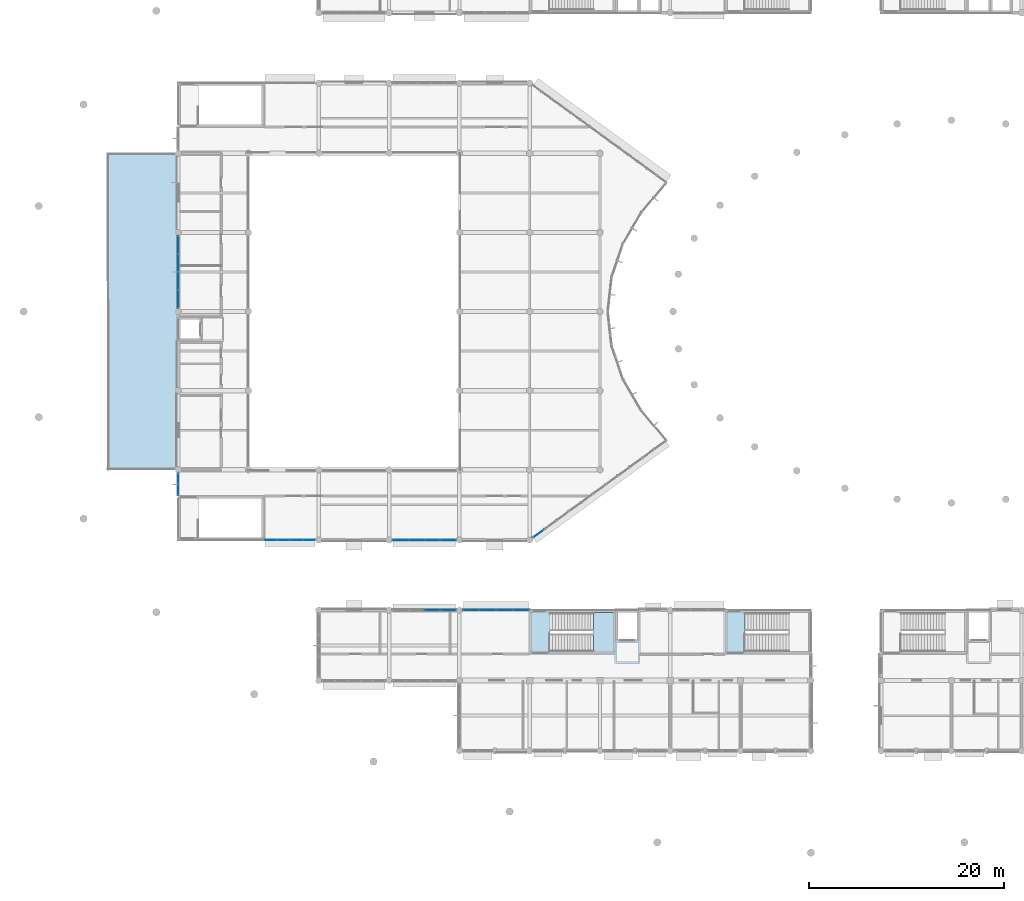
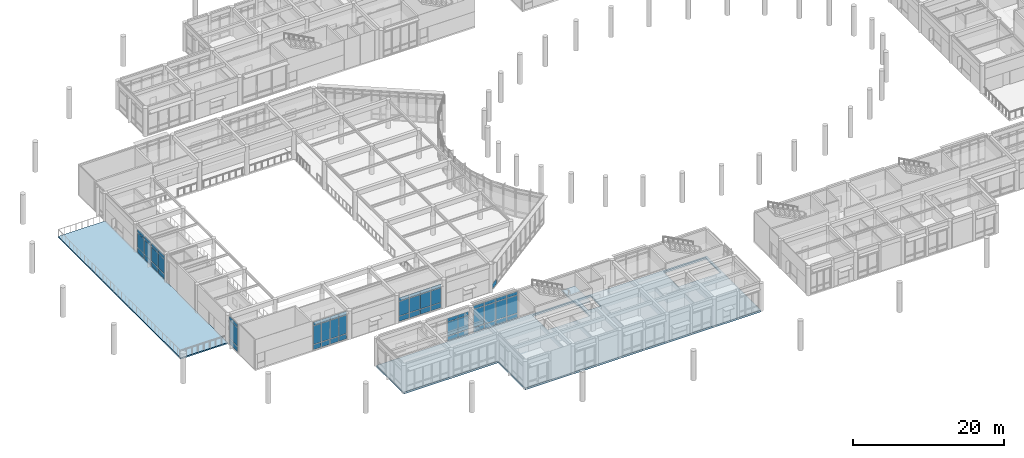
# One storey, part 35 of 92: 58 plates, 3 slabs, 8 elements without a shape of their own.
"""IFC4 building model written with IfcOpenShell, lengths in metres."""

from ifc_helpers import new_model, si_unit, direction, frame, origin, origin_2d, place, context, subcontext, project, spatial, polyline, rectangle, outline, extrude, material, layer, layer_set, type_object, element, aggregate, save


model = new_model("IFC4")

# Units and contexts
model_context = context("Model", 3, precision=1e-05, world=origin(), true_north=direction((0.0, 1.0)))
body_context = subcontext(model_context, "Body", "Model", "MODEL_VIEW")
ifc_project = project(units=[si_unit("LENGTHUNIT", "METRE"), si_unit("AREAUNIT", "SQUARE_METRE"), si_unit("VOLUMEUNIT", "CUBIC_METRE"), si_unit("PLANEANGLEUNIT", "RADIAN"), si_unit("MASSUNIT", "GRAM", prefix="KILO")], contexts=[model_context])

# Site, building, storey
site_placement = place(None, origin())
site = spatial("IfcSite", under=ifc_project, at=site_placement, CompositionType="ELEMENT")
building_placement = place(site_placement, origin())
building = spatial("IfcBuilding", under=site, at=building_placement, Name="Namkhue Oval Health Centre", CompositionType="ELEMENT")
storey_placement = place(building_placement, frame((0.0, 0.0, 4.800048828125)))
storey = spatial("IfcBuildingStorey", under=building, at=storey_placement, Name="L01", CompositionType="ELEMENT", Elevation=4.800048828125)

# Curtain wall, plates
ifc_material_1 = material(Name="Anodised aluminium EN AW-6063 T6", Category="aluminium")
ifc_layer_1 = layer(ifc_material_1, 0.159912109375)
ifc_layer_set_1 = layer_set([ifc_layer_1], Name="Anodised aluminium EN AW-6063 T6")
curtain_wall_type_1 = type_object("IfcCurtainWallType", Name="UNITISED CURTAIN WALL M1500", PredefinedType="NOTDEFINED", material=ifc_layer_set_1)
curtain_wall_1_placement = place(storey_placement, origin())
curtain_wall_1 = element("IfcCurtainWall", 1, at=curtain_wall_1_placement, inside=storey, type_object=curtain_wall_type_1, Name="Volume V1 L01 Unitised Curtain Wall 21", PredefinedType="NOTDEFINED")
ifc_material_2 = material(Name="Thermally broken low-E laminated double glazing", Category="glass")
ifc_layer_2 = layer(ifc_material_2, 0.02587890625)
ifc_layer_set_2 = layer_set([ifc_layer_2], Name="Thermally broken low-E laminated double glazing")
plate_type_1 = type_object("IfcPlateType", Name="CURTAIN WALL GLAZED PANEL 26", PredefinedType="CURTAIN_PANEL", material=ifc_layer_set_2)
plate_1_placement = place(storey_placement, frame((44.367431640625, 36.0, 0.06494140625), z_axis=(0.0, 0.0, 1.0), x_axis=(1.0, 0.0, 0.0)))
plate_1 = element("IfcPlate", 2, at=plate_1_placement, type_object=plate_type_1, Name="CW-03 panel 1.1", PredefinedType="CURTAIN_PANEL", context=body_context, shape_type="SweptSolid", body=[
    extrude(rectangle(XDim=1.534912109375, YDim=0.02587890625, at=origin_2d()), origin(), (0.0, 0.0, 1.0), 0.802490234375),
])
plate_2_placement = place(storey_placement, frame((44.367431640625, 36.0, 0.932373046875), z_axis=(0.0, 0.0, 1.0), x_axis=(1.0, 0.0, 0.0)))
plate_2 = element("IfcPlate", 3, at=plate_2_placement, type_object=plate_type_1, Name="CW-03 panel 1.2", PredefinedType="CURTAIN_PANEL", context=body_context, shape_type="SweptSolid", body=[
    extrude(rectangle(XDim=1.534912109375, YDim=0.02587890625, at=origin_2d()), origin(), (0.0, 0.0, 1.0), 2.3349609375),
])
plate_3_placement = place(storey_placement, frame((44.367431640625, 36.0, 3.33251953125), z_axis=(0.0, 0.0, 1.0), x_axis=(1.0, 0.0, 0.0)))
plate_3 = element("IfcPlate", 4, at=plate_3_placement, type_object=plate_type_1, Name="CW-03 panel 1.3", PredefinedType="CURTAIN_PANEL", context=body_context, shape_type="SweptSolid", body=[
    extrude(rectangle(XDim=1.534912109375, YDim=0.02587890625, at=origin_2d()), origin(), (0.0, 0.0, 1.0), 0.552490234375),
])
plate_4_placement = place(storey_placement, frame((45.983642578125, 36.0, 0.06494140625), z_axis=(0.0, 0.0, 1.0), x_axis=(1.0, 0.0, 0.0)))
plate_4 = element("IfcPlate", 5, at=plate_4_placement, type_object=plate_type_1, Name="CW-03 panel 2.1", PredefinedType="CURTAIN_PANEL", context=body_context, shape_type="SweptSolid", body=[
    extrude(rectangle(XDim=1.5673828125, YDim=0.02587890625, at=origin_2d()), origin(), (0.0, 0.0, 1.0), 0.802490234375),
])
plate_5_placement = place(storey_placement, frame((45.983642578125, 36.0, 0.932373046875), z_axis=(0.0, 0.0, 1.0), x_axis=(1.0, 0.0, 0.0)))
plate_5 = element("IfcPlate", 6, at=plate_5_placement, type_object=plate_type_1, Name="CW-03 panel 2.2", PredefinedType="CURTAIN_PANEL", context=body_context, shape_type="SweptSolid", body=[
    extrude(rectangle(XDim=1.5673828125, YDim=0.02587890625, at=origin_2d()), origin(), (0.0, 0.0, 1.0), 2.3349609375),
])
plate_6_placement = place(storey_placement, frame((45.983642578125, 36.0, 3.33251953125), z_axis=(0.0, 0.0, 1.0), x_axis=(1.0, 0.0, 0.0)))
plate_6 = element("IfcPlate", 7, at=plate_6_placement, type_object=plate_type_1, Name="CW-03 panel 2.3", PredefinedType="CURTAIN_PANEL", context=body_context, shape_type="SweptSolid", body=[
    extrude(rectangle(XDim=1.5673828125, YDim=0.02587890625, at=origin_2d()), origin(), (0.0, 0.0, 1.0), 0.552490234375),
])
plate_7_placement = place(storey_placement, frame((47.6162109375, 36.0, 0.06494140625), z_axis=(0.0, 0.0, 1.0), x_axis=(1.0, 0.0, 0.0)))
plate_7 = element("IfcPlate", 8, at=plate_7_placement, type_object=plate_type_1, Name="CW-03 panel 3.1", PredefinedType="CURTAIN_PANEL", context=body_context, shape_type="SweptSolid", body=[
    extrude(rectangle(XDim=1.5673828125, YDim=0.02587890625, at=origin_2d()), origin(), (0.0, 0.0, 1.0), 0.802490234375),
])
plate_8_placement = place(storey_placement, frame((47.6162109375, 36.0, 0.932373046875), z_axis=(0.0, 0.0, 1.0), x_axis=(1.0, 0.0, 0.0)))
plate_8 = element("IfcPlate", 9, at=plate_8_placement, type_object=plate_type_1, Name="CW-03 panel 3.2", PredefinedType="CURTAIN_PANEL", context=body_context, shape_type="SweptSolid", body=[
    extrude(rectangle(XDim=1.5673828125, YDim=0.02587890625, at=origin_2d()), origin(), (0.0, 0.0, 1.0), 2.3349609375),
])
plate_9_placement = place(storey_placement, frame((47.6162109375, 36.0, 3.33251953125), z_axis=(0.0, 0.0, 1.0), x_axis=(1.0, 0.0, 0.0)))
plate_9 = element("IfcPlate", 10, at=plate_9_placement, type_object=plate_type_1, Name="CW-03 panel 3.3", PredefinedType="CURTAIN_PANEL", context=body_context, shape_type="SweptSolid", body=[
    extrude(rectangle(XDim=1.5673828125, YDim=0.02587890625, at=origin_2d()), origin(), (0.0, 0.0, 1.0), 0.552490234375),
])
plate_10_placement = place(storey_placement, frame((49.232421875, 36.0, 0.06494140625), z_axis=(0.0, 0.0, 1.0), x_axis=(1.0, 0.0, 0.0)))
plate_10 = element("IfcPlate", 11, at=plate_10_placement, type_object=plate_type_1, Name="CW-03 panel 4.1", PredefinedType="CURTAIN_PANEL", context=body_context, shape_type="SweptSolid", body=[
    extrude(rectangle(XDim=1.534912109375, YDim=0.02587890625, at=origin_2d()), origin(), (0.0, 0.0, 1.0), 0.802490234375),
])
plate_11_placement = place(storey_placement, frame((49.232421875, 36.0, 0.932373046875), z_axis=(0.0, 0.0, 1.0), x_axis=(1.0, 0.0, 0.0)))
plate_11 = element("IfcPlate", 12, at=plate_11_placement, type_object=plate_type_1, Name="CW-03 panel 4.2", PredefinedType="CURTAIN_PANEL", context=body_context, shape_type="SweptSolid", body=[
    extrude(rectangle(XDim=1.534912109375, YDim=0.02587890625, at=origin_2d()), origin(), (0.0, 0.0, 1.0), 2.3349609375),
])
plate_12_placement = place(storey_placement, frame((49.232421875, 36.0, 3.33251953125), z_axis=(0.0, 0.0, 1.0), x_axis=(1.0, 0.0, 0.0)))
plate_12 = element("IfcPlate", 13, at=plate_12_placement, type_object=plate_type_1, Name="CW-03 panel 4.3", PredefinedType="CURTAIN_PANEL", context=body_context, shape_type="SweptSolid", body=[
    extrude(rectangle(XDim=1.534912109375, YDim=0.02587890625, at=origin_2d()), origin(), (0.0, 0.0, 1.0), 0.552490234375),
])
aggregate(curtain_wall_1, [plate_1, plate_2, plate_3, plate_4, plate_5, plate_6, plate_7, plate_8, plate_9, plate_10, plate_11, plate_12])

# Curtain wall, plate
ifc_layer_3 = layer(ifc_material_1, 0.159912109375)
ifc_layer_set_3 = layer_set([ifc_layer_3], Name="Anodised aluminium EN AW-6063 T6")
curtain_wall_type_2 = type_object("IfcCurtainWallType", Name="UNITISED CURTAIN WALL M1600", PredefinedType="NOTDEFINED", material=ifc_layer_set_3)
curtain_wall_2_placement = place(storey_placement, origin())
curtain_wall_2 = element("IfcCurtainWall", 14, at=curtain_wall_2_placement, inside=storey, type_object=curtain_wall_type_2, Name="Volume V1 L01 Unitised Curtain Wall 22", PredefinedType="NOTDEFINED")
ifc_layer_4 = layer(ifc_material_2, 0.028076171875)
ifc_layer_set_4 = layer_set([ifc_layer_4], Name="Thermally broken low-E laminated double glazing")
plate_type_2 = type_object("IfcPlateType", Name="CURTAIN WALL GLAZED PANEL 28", PredefinedType="CURTAIN_PANEL", material=ifc_layer_set_4)
plate_13_placement = place(storey_placement, frame((58.5107421875, 36.662841796875, 0.074951171875), z_axis=(0.0, 0.0, 1.0), x_axis=(0.808513999682, 0.588476942894, 0.0)))
plate_13 = element("IfcPlate", 15, at=plate_13_placement, type_object=plate_type_2, Name="CW-04 panel 1.1", PredefinedType="CURTAIN_PANEL", context=body_context, shape_type="SweptSolid", body=[
    extrude(rectangle(XDim=1.433349609375, YDim=0.028076171875, at=origin_2d()), origin(), (0.0, 0.0, 1.0), 0.78759765625),
])
aggregate(curtain_wall_2, [plate_13])

# Curtain wall, plates
curtain_wall_3_placement = place(storey_placement, origin())
curtain_wall_3 = element("IfcCurtainWall", 16, at=curtain_wall_3_placement, inside=storey, type_object=curtain_wall_type_2, Name="Volume V4 L01 Unitised Curtain Wall 154", PredefinedType="NOTDEFINED")
plate_14_placement = place(storey_placement, frame((56.708251953125, 28.800048828125, 0.074951171875), z_axis=(0.0, 0.0, 1.0), x_axis=(-1.0, 0.0, 0.0)))
plate_14 = element("IfcPlate", 17, at=plate_14_placement, type_object=plate_type_2, Name="CW-04 panel 1.1", PredefinedType="CURTAIN_PANEL", context=body_context, shape_type="SweptSolid", body=[
    extrude(rectangle(XDim=1.599609375, YDim=0.028076171875, at=origin_2d()), origin(), (0.0, 0.0, 1.0), 0.78759765625),
])
plate_15_placement = place(storey_placement, frame((56.708251953125, 28.800048828125, 0.9375), z_axis=(0.0, 0.0, 1.0), x_axis=(-1.0, 0.0, 0.0)))
plate_15 = element("IfcPlate", 18, at=plate_15_placement, type_object=plate_type_2, Name="CW-04 panel 1.2", PredefinedType="CURTAIN_PANEL", context=body_context, shape_type="SweptSolid", body=[
    extrude(rectangle(XDim=1.599609375, YDim=0.028076171875, at=origin_2d()), origin(), (0.0, 0.0, 1.0), 2.8798828125),
])
plate_16_placement = place(storey_placement, frame((56.708251953125, 28.800048828125, 3.892333984375), z_axis=(0.0, 0.0, 1.0), x_axis=(-1.0, 0.0, 0.0)))
plate_16 = element("IfcPlate", 19, at=plate_16_placement, type_object=plate_type_2, Name="CW-04 panel 1.3", PredefinedType="CURTAIN_PANEL", context=body_context, shape_type="SweptSolid", body=[
    extrude(rectangle(XDim=1.599609375, YDim=0.028076171875, at=origin_2d()), origin(), (0.0, 0.0, 1.0), 0.53759765625),
])
plate_17_placement = place(storey_placement, frame((55.014892578125, 28.800048828125, 0.074951171875), z_axis=(0.0, 0.0, 1.0), x_axis=(-1.0, 0.0, 0.0)))
plate_17 = element("IfcPlate", 20, at=plate_17_placement, type_object=plate_type_2, Name="CW-04 panel 2.1", PredefinedType="CURTAIN_PANEL", context=body_context, shape_type="SweptSolid", body=[
    extrude(rectangle(XDim=1.636962890625, YDim=0.028076171875, at=origin_2d()), origin(), (0.0, 0.0, 1.0), 0.78759765625),
])
plate_18_placement = place(storey_placement, frame((55.014892578125, 28.800048828125, 0.9375), z_axis=(0.0, 0.0, 1.0), x_axis=(-1.0, 0.0, 0.0)))
plate_18 = element("IfcPlate", 21, at=plate_18_placement, type_object=plate_type_2, Name="CW-04 panel 2.2", PredefinedType="CURTAIN_PANEL", context=body_context, shape_type="SweptSolid", body=[
    extrude(rectangle(XDim=1.636962890625, YDim=0.028076171875, at=origin_2d()), origin(), (0.0, 0.0, 1.0), 2.8798828125),
])
plate_19_placement = place(storey_placement, frame((55.014892578125, 28.800048828125, 3.892333984375), z_axis=(0.0, 0.0, 1.0), x_axis=(-1.0, 0.0, 0.0)))
plate_19 = element("IfcPlate", 22, at=plate_19_placement, type_object=plate_type_2, Name="CW-04 panel 2.3", PredefinedType="CURTAIN_PANEL", context=body_context, shape_type="SweptSolid", body=[
    extrude(rectangle(XDim=1.636962890625, YDim=0.028076171875, at=origin_2d()), origin(), (0.0, 0.0, 1.0), 0.53759765625),
])
plate_20_placement = place(storey_placement, frame((53.302978515625, 28.800048828125, 0.074951171875), z_axis=(0.0, 0.0, 1.0), x_axis=(-1.0, 0.0, 0.0)))
plate_20 = element("IfcPlate", 23, at=plate_20_placement, type_object=plate_type_2, Name="CW-04 panel 3.1", PredefinedType="CURTAIN_PANEL", context=body_context, shape_type="SweptSolid", body=[
    extrude(rectangle(XDim=1.636962890625, YDim=0.028076171875, at=origin_2d()), origin(), (0.0, 0.0, 1.0), 0.78759765625),
])
plate_21_placement = place(storey_placement, frame((53.302978515625, 28.800048828125, 0.9375), z_axis=(0.0, 0.0, 1.0), x_axis=(-1.0, 0.0, 0.0)))
plate_21 = element("IfcPlate", 24, at=plate_21_placement, type_object=plate_type_2, Name="CW-04 panel 3.2", PredefinedType="CURTAIN_PANEL", context=body_context, shape_type="SweptSolid", body=[
    extrude(rectangle(XDim=1.636962890625, YDim=0.028076171875, at=origin_2d()), origin(), (0.0, 0.0, 1.0), 2.8798828125),
])
plate_22_placement = place(storey_placement, frame((53.302978515625, 28.800048828125, 3.892333984375), z_axis=(0.0, 0.0, 1.0), x_axis=(-1.0, 0.0, 0.0)))
plate_22 = element("IfcPlate", 25, at=plate_22_placement, type_object=plate_type_2, Name="CW-04 panel 3.3", PredefinedType="CURTAIN_PANEL", context=body_context, shape_type="SweptSolid", body=[
    extrude(rectangle(XDim=1.636962890625, YDim=0.028076171875, at=origin_2d()), origin(), (0.0, 0.0, 1.0), 0.53759765625),
])
plate_23_placement = place(storey_placement, frame((51.60986328125, 28.800048828125, 0.074951171875), z_axis=(0.0, 0.0, 1.0), x_axis=(-1.0, 0.0, 0.0)))
plate_23 = element("IfcPlate", 26, at=plate_23_placement, type_object=plate_type_2, Name="CW-04 panel 4.1", PredefinedType="CURTAIN_PANEL", context=body_context, shape_type="SweptSolid", body=[
    extrude(rectangle(XDim=1.599609375, YDim=0.028076171875, at=origin_2d()), origin(), (0.0, 0.0, 1.0), 0.78759765625),
])
plate_24_placement = place(storey_placement, frame((51.60986328125, 28.800048828125, 0.9375), z_axis=(0.0, 0.0, 1.0), x_axis=(-1.0, 0.0, 0.0)))
plate_24 = element("IfcPlate", 27, at=plate_24_placement, type_object=plate_type_2, Name="CW-04 panel 4.2", PredefinedType="CURTAIN_PANEL", context=body_context, shape_type="SweptSolid", body=[
    extrude(rectangle(XDim=1.599609375, YDim=0.028076171875, at=origin_2d()), origin(), (0.0, 0.0, 1.0), 2.8798828125),
])
plate_25_placement = place(storey_placement, frame((51.60986328125, 28.800048828125, 3.892333984375), z_axis=(0.0, 0.0, 1.0), x_axis=(-1.0, 0.0, 0.0)))
plate_25 = element("IfcPlate", 28, at=plate_25_placement, type_object=plate_type_2, Name="CW-04 panel 4.3", PredefinedType="CURTAIN_PANEL", context=body_context, shape_type="SweptSolid", body=[
    extrude(rectangle(XDim=1.599609375, YDim=0.028076171875, at=origin_2d()), origin(), (0.0, 0.0, 1.0), 0.53759765625),
])
aggregate(curtain_wall_3, [plate_14, plate_15, plate_16, plate_17, plate_18, plate_19, plate_20, plate_21, plate_22, plate_23, plate_24, plate_25])

ifc_layer_5 = layer(ifc_material_1, 0.159912109375)
ifc_layer_set_5 = layer_set([ifc_layer_5], Name="Anodised aluminium EN AW-6063 T6")
curtain_wall_type_3 = type_object("IfcCurtainWallType", Name="UNITISED CURTAIN WALL M1800", PredefinedType="NOTDEFINED", material=ifc_layer_set_5)
curtain_wall_4_placement = place(storey_placement, origin())
curtain_wall_4 = element("IfcCurtainWall", 29, at=curtain_wall_4_placement, inside=storey, type_object=curtain_wall_type_3, Name="Volume V1 L01 Unitised Curtain Wall 35", PredefinedType="NOTDEFINED")
ifc_material_3 = material(Name="Insulated anodised aluminium spandrel panel", Category="aluminium")
ifc_layer_6 = layer(ifc_material_3, 0.031982421875)
ifc_layer_set_6 = layer_set([ifc_layer_6], Name="Insulated anodised aluminium spandrel panel")
plate_type_3 = type_object("IfcPlateType", Name="CURTAIN WALL SPANDREL PANEL 32", PredefinedType="CURTAIN_PANEL", material=ifc_layer_set_6)
plate_26_placement = place(storey_placement, frame((21.60009765625, 66.219970703125, 0.06494140625), z_axis=(0.0, 0.0, 1.0), x_axis=(0.0, -1.0, 0.0)))
plate_26 = element("IfcPlate", 30, at=plate_26_placement, type_object=plate_type_3, Name="CW-05 panel 1.1", PredefinedType="CURTAIN_PANEL", context=body_context, shape_type="SweptSolid", body=[
    extrude(rectangle(XDim=1.760009765625, YDim=0.031982421875, at=origin_2d()), origin(), (0.0, 0.0, 1.0), 0.802490234375),
])
plate_27_placement = place(storey_placement, frame((21.60009765625, 66.219970703125, 0.932373046875), z_axis=(0.0, 0.0, 1.0), x_axis=(0.0, -1.0, 0.0)))
plate_27 = element("IfcPlate", 31, at=plate_27_placement, type_object=plate_type_3, Name="CW-05 panel 1.2", PredefinedType="CURTAIN_PANEL", context=body_context, shape_type="SweptSolid", body=[
    extrude(rectangle(XDim=1.760009765625, YDim=0.031982421875, at=origin_2d()), origin(), (0.0, 0.0, 1.0), 2.3349609375),
])
plate_28_placement = place(storey_placement, frame((21.60009765625, 66.219970703125, 3.33251953125), z_axis=(0.0, 0.0, 1.0), x_axis=(0.0, -1.0, 0.0)))
plate_28 = element("IfcPlate", 32, at=plate_28_placement, type_object=plate_type_3, Name="CW-05 panel 1.3", PredefinedType="CURTAIN_PANEL", context=body_context, shape_type="SweptSolid", body=[
    extrude(rectangle(XDim=1.760009765625, YDim=0.031982421875, at=origin_2d()), origin(), (0.0, 0.0, 1.0), 0.552490234375),
])
plate_29_placement = place(storey_placement, frame((21.60009765625, 64.378662109375, 0.06494140625), z_axis=(0.0, 0.0, 1.0), x_axis=(0.0, -1.0, 0.0)))
plate_29 = element("IfcPlate", 33, at=plate_29_placement, type_object=plate_type_3, Name="CW-05 panel 2.1", PredefinedType="CURTAIN_PANEL", context=body_context, shape_type="SweptSolid", body=[
    extrude(rectangle(XDim=1.79248046875, YDim=0.031982421875, at=origin_2d()), origin(), (0.0, 0.0, 1.0), 0.802490234375),
])
plate_30_placement = place(storey_placement, frame((21.60009765625, 64.378662109375, 0.932373046875), z_axis=(0.0, 0.0, 1.0), x_axis=(0.0, -1.0, 0.0)))
plate_30 = element("IfcPlate", 34, at=plate_30_placement, type_object=plate_type_3, Name="CW-05 panel 2.2", PredefinedType="CURTAIN_PANEL", context=body_context, shape_type="SweptSolid", body=[
    extrude(rectangle(XDim=1.79248046875, YDim=0.031982421875, at=origin_2d()), origin(), (0.0, 0.0, 1.0), 2.3349609375),
])
plate_31_placement = place(storey_placement, frame((21.60009765625, 64.378662109375, 3.33251953125), z_axis=(0.0, 0.0, 1.0), x_axis=(0.0, -1.0, 0.0)))
plate_31 = element("IfcPlate", 35, at=plate_31_placement, type_object=plate_type_3, Name="CW-05 panel 2.3", PredefinedType="CURTAIN_PANEL", context=body_context, shape_type="SweptSolid", body=[
    extrude(rectangle(XDim=1.79248046875, YDim=0.031982421875, at=origin_2d()), origin(), (0.0, 0.0, 1.0), 0.552490234375),
])
plate_32_placement = place(storey_placement, frame((21.60009765625, 62.521240234375, 0.06494140625), z_axis=(0.0, 0.0, 1.0), x_axis=(0.0, -1.0, 0.0)))
plate_32 = element("IfcPlate", 36, at=plate_32_placement, type_object=plate_type_3, Name="CW-05 panel 3.1", PredefinedType="CURTAIN_PANEL", context=body_context, shape_type="SweptSolid", body=[
    extrude(rectangle(XDim=1.79248046875, YDim=0.031982421875, at=origin_2d()), origin(), (0.0, 0.0, 1.0), 0.802490234375),
])
plate_33_placement = place(storey_placement, frame((21.60009765625, 62.521240234375, 0.932373046875), z_axis=(0.0, 0.0, 1.0), x_axis=(0.0, -1.0, 0.0)))
plate_33 = element("IfcPlate", 37, at=plate_33_placement, type_object=plate_type_3, Name="CW-05 panel 3.2", PredefinedType="CURTAIN_PANEL", context=body_context, shape_type="SweptSolid", body=[
    extrude(rectangle(XDim=1.79248046875, YDim=0.031982421875, at=origin_2d()), origin(), (0.0, 0.0, 1.0), 2.3349609375),
])
plate_34_placement = place(storey_placement, frame((21.60009765625, 62.521240234375, 3.33251953125), z_axis=(0.0, 0.0, 1.0), x_axis=(0.0, -1.0, 0.0)))
plate_34 = element("IfcPlate", 38, at=plate_34_placement, type_object=plate_type_3, Name="CW-05 panel 3.3", PredefinedType="CURTAIN_PANEL", context=body_context, shape_type="SweptSolid", body=[
    extrude(rectangle(XDim=1.79248046875, YDim=0.031982421875, at=origin_2d()), origin(), (0.0, 0.0, 1.0), 0.552490234375),
])
plate_35_placement = place(storey_placement, frame((21.60009765625, 60.679931640625, 0.06494140625), z_axis=(0.0, 0.0, 1.0), x_axis=(0.0, -1.0, 0.0)))
plate_35 = element("IfcPlate", 39, at=plate_35_placement, type_object=plate_type_3, Name="CW-05 panel 4.1", PredefinedType="CURTAIN_PANEL", context=body_context, shape_type="SweptSolid", body=[
    extrude(rectangle(XDim=1.760009765625, YDim=0.031982421875, at=origin_2d()), origin(), (0.0, 0.0, 1.0), 0.802490234375),
])
plate_36_placement = place(storey_placement, frame((21.60009765625, 60.679931640625, 0.932373046875), z_axis=(0.0, 0.0, 1.0), x_axis=(0.0, -1.0, 0.0)))
plate_36 = element("IfcPlate", 40, at=plate_36_placement, type_object=plate_type_3, Name="CW-05 panel 4.2", PredefinedType="CURTAIN_PANEL", context=body_context, shape_type="SweptSolid", body=[
    extrude(rectangle(XDim=1.760009765625, YDim=0.031982421875, at=origin_2d()), origin(), (0.0, 0.0, 1.0), 2.3349609375),
])
plate_37_placement = place(storey_placement, frame((21.60009765625, 60.679931640625, 3.33251953125), z_axis=(0.0, 0.0, 1.0), x_axis=(0.0, -1.0, 0.0)))
plate_37 = element("IfcPlate", 41, at=plate_37_placement, type_object=plate_type_3, Name="CW-05 panel 4.3", PredefinedType="CURTAIN_PANEL", context=body_context, shape_type="SweptSolid", body=[
    extrude(rectangle(XDim=1.760009765625, YDim=0.031982421875, at=origin_2d()), origin(), (0.0, 0.0, 1.0), 0.552490234375),
])
aggregate(curtain_wall_4, [plate_26, plate_27, plate_28, plate_29, plate_30, plate_31, plate_32, plate_33, plate_34, plate_35, plate_36, plate_37])

curtain_wall_5_placement = place(storey_placement, origin())
curtain_wall_5 = element("IfcCurtainWall", 42, at=curtain_wall_5_placement, inside=storey, type_object=curtain_wall_type_3, Name="Volume V4 L01 Unitised Curtain Wall 155", PredefinedType="NOTDEFINED")
plate_38_placement = place(storey_placement, frame((49.232421875, 28.800048828125, 0.06494140625), z_axis=(0.0, 0.0, 1.0), x_axis=(-1.0, 0.0, 0.0)))
plate_38 = element("IfcPlate", 43, at=plate_38_placement, type_object=plate_type_3, Name="CW-05 panel 1.1", PredefinedType="CURTAIN_PANEL", context=body_context, shape_type="SweptSolid", body=[
    extrude(rectangle(XDim=1.534912109375, YDim=0.031982421875, at=origin_2d()), origin(), (0.0, 0.0, 1.0), 0.802490234375),
])
plate_39_placement = place(storey_placement, frame((49.232421875, 28.800048828125, 0.9326171875), z_axis=(0.0, 0.0, 1.0), x_axis=(-1.0, 0.0, 0.0)))
plate_39 = element("IfcPlate", 44, at=plate_39_placement, type_object=plate_type_3, Name="CW-05 panel 1.2", PredefinedType="CURTAIN_PANEL", context=body_context, shape_type="SweptSolid", body=[
    extrude(rectangle(XDim=1.534912109375, YDim=0.031982421875, at=origin_2d()), origin(), (0.0, 0.0, 1.0), 2.239990234375),
])
plate_40_placement = place(storey_placement, frame((49.232421875, 28.800048828125, 3.2373046875), z_axis=(0.0, 0.0, 1.0), x_axis=(-1.0, 0.0, 0.0)))
plate_40 = element("IfcPlate", 45, at=plate_40_placement, type_object=plate_type_3, Name="CW-05 panel 1.3", PredefinedType="CURTAIN_PANEL", context=body_context, shape_type="SweptSolid", body=[
    extrude(rectangle(XDim=1.534912109375, YDim=0.031982421875, at=origin_2d()), origin(), (0.0, 0.0, 1.0), 0.552490234375),
])
plate_41_placement = place(storey_placement, frame((47.6162109375, 28.800048828125, 0.06494140625), z_axis=(0.0, 0.0, 1.0), x_axis=(-1.0, 0.0, 0.0)))
plate_41 = element("IfcPlate", 46, at=plate_41_placement, type_object=plate_type_3, Name="CW-05 panel 2.1", PredefinedType="CURTAIN_PANEL", context=body_context, shape_type="SweptSolid", body=[
    extrude(rectangle(XDim=1.5673828125, YDim=0.031982421875, at=origin_2d()), origin(), (0.0, 0.0, 1.0), 0.802490234375),
])
plate_42_placement = place(storey_placement, frame((47.6162109375, 28.800048828125, 0.9326171875), z_axis=(0.0, 0.0, 1.0), x_axis=(-1.0, 0.0, 0.0)))
plate_42 = element("IfcPlate", 47, at=plate_42_placement, type_object=plate_type_3, Name="CW-05 panel 2.2", PredefinedType="CURTAIN_PANEL", context=body_context, shape_type="SweptSolid", body=[
    extrude(rectangle(XDim=1.5673828125, YDim=0.031982421875, at=origin_2d()), origin(), (0.0, 0.0, 1.0), 2.239990234375),
])
plate_43_placement = place(storey_placement, frame((47.6162109375, 28.800048828125, 3.2373046875), z_axis=(0.0, 0.0, 1.0), x_axis=(-1.0, 0.0, 0.0)))
plate_43 = element("IfcPlate", 48, at=plate_43_placement, type_object=plate_type_3, Name="CW-05 panel 2.3", PredefinedType="CURTAIN_PANEL", context=body_context, shape_type="SweptSolid", body=[
    extrude(rectangle(XDim=1.5673828125, YDim=0.031982421875, at=origin_2d()), origin(), (0.0, 0.0, 1.0), 0.552490234375),
])
aggregate(curtain_wall_5, [plate_38, plate_39, plate_40, plate_41, plate_42, plate_43])

ifc_layer_7 = layer(ifc_material_1, 0.159912109375)
ifc_layer_set_7 = layer_set([ifc_layer_7], Name="Anodised aluminium EN AW-6063 T6")
curtain_wall_type_4 = type_object("IfcCurtainWallType", Name="UNITISED CURTAIN WALL M1350", PredefinedType="NOTDEFINED", material=ifc_layer_set_7)
curtain_wall_6_placement = place(storey_placement, origin())
curtain_wall_6 = element("IfcCurtainWall", 49, at=curtain_wall_6_placement, inside=storey, type_object=curtain_wall_type_4, Name="Volume V1 L01 Unitised Curtain Wall 20", PredefinedType="NOTDEFINED")
ifc_layer_8 = layer(ifc_material_3, 0.035888671875)
ifc_layer_set_8 = layer_set([ifc_layer_8], Name="Insulated anodised aluminium spandrel panel")
plate_type_4 = type_object("IfcPlateType", Name="CURTAIN WALL SPANDREL PANEL 36", PredefinedType="CURTAIN_PANEL", material=ifc_layer_set_8)
plate_44_placement = place(storey_placement, frame((31.091796875, 36.0, 0.074951171875), z_axis=(0.0, 0.0, 1.0), x_axis=(1.0, 0.0, 0.0)))
plate_44 = element("IfcPlate", 50, at=plate_44_placement, type_object=plate_type_4, Name="CW-02 panel 1.1", PredefinedType="CURTAIN_PANEL", context=body_context, shape_type="SweptSolid", body=[
    extrude(rectangle(XDim=1.199462890625, YDim=0.035888671875, at=origin_2d()), origin(), (0.0, 0.0, 1.0), 0.78759765625),
])
plate_45_placement = place(storey_placement, frame((31.091796875, 36.0, 0.9375), z_axis=(0.0, 0.0, 1.0), x_axis=(1.0, 0.0, 0.0)))
plate_45 = element("IfcPlate", 51, at=plate_45_placement, type_object=plate_type_4, Name="CW-02 panel 1.2", PredefinedType="CURTAIN_PANEL", context=body_context, shape_type="SweptSolid", body=[
    extrude(rectangle(XDim=1.199462890625, YDim=0.035888671875, at=origin_2d()), origin(), (0.0, 0.0, 1.0), 2.97509765625),
])
plate_46_placement = place(storey_placement, frame((31.091796875, 36.0, 3.9873046875), z_axis=(0.0, 0.0, 1.0), x_axis=(1.0, 0.0, 0.0)))
plate_46 = element("IfcPlate", 52, at=plate_46_placement, type_object=plate_type_4, Name="CW-02 panel 1.3", PredefinedType="CURTAIN_PANEL", context=body_context, shape_type="SweptSolid", body=[
    extrude(rectangle(XDim=1.199462890625, YDim=0.035888671875, at=origin_2d()), origin(), (0.0, 0.0, 1.0), 0.53759765625),
])
plate_47_placement = place(storey_placement, frame((32.385009765625, 36.0, 0.074951171875), z_axis=(0.0, 0.0, 1.0), x_axis=(1.0, 0.0, 0.0)))
plate_47 = element("IfcPlate", 53, at=plate_47_placement, type_object=plate_type_4, Name="CW-02 panel 2.1", PredefinedType="CURTAIN_PANEL", context=body_context, shape_type="SweptSolid", body=[
    extrude(rectangle(XDim=1.237060546875, YDim=0.035888671875, at=origin_2d()), origin(), (0.0, 0.0, 1.0), 0.78759765625),
])
plate_48_placement = place(storey_placement, frame((32.385009765625, 36.0, 0.9375), z_axis=(0.0, 0.0, 1.0), x_axis=(1.0, 0.0, 0.0)))
plate_48 = element("IfcPlate", 54, at=plate_48_placement, type_object=plate_type_4, Name="CW-02 panel 2.2", PredefinedType="CURTAIN_PANEL", context=body_context, shape_type="SweptSolid", body=[
    extrude(rectangle(XDim=1.237060546875, YDim=0.035888671875, at=origin_2d()), origin(), (0.0, 0.0, 1.0), 2.97509765625),
])
plate_49_placement = place(storey_placement, frame((32.385009765625, 36.0, 3.9873046875), z_axis=(0.0, 0.0, 1.0), x_axis=(1.0, 0.0, 0.0)))
plate_49 = element("IfcPlate", 55, at=plate_49_placement, type_object=plate_type_4, Name="CW-02 panel 2.3", PredefinedType="CURTAIN_PANEL", context=body_context, shape_type="SweptSolid", body=[
    extrude(rectangle(XDim=1.237060546875, YDim=0.035888671875, at=origin_2d()), origin(), (0.0, 0.0, 1.0), 0.53759765625),
])
plate_50_placement = place(storey_placement, frame((33.697021484375, 36.0, 0.074951171875), z_axis=(0.0, 0.0, 1.0), x_axis=(1.0, 0.0, 0.0)))
plate_50 = element("IfcPlate", 56, at=plate_50_placement, type_object=plate_type_4, Name="CW-02 panel 3.1", PredefinedType="CURTAIN_PANEL", context=body_context, shape_type="SweptSolid", body=[
    extrude(rectangle(XDim=1.237060546875, YDim=0.035888671875, at=origin_2d()), origin(), (0.0, 0.0, 1.0), 0.78759765625),
])
plate_51_placement = place(storey_placement, frame((33.697021484375, 36.0, 0.9375), z_axis=(0.0, 0.0, 1.0), x_axis=(1.0, 0.0, 0.0)))
plate_51 = element("IfcPlate", 57, at=plate_51_placement, type_object=plate_type_4, Name="CW-02 panel 3.2", PredefinedType="CURTAIN_PANEL", context=body_context, shape_type="SweptSolid", body=[
    extrude(rectangle(XDim=1.237060546875, YDim=0.035888671875, at=origin_2d()), origin(), (0.0, 0.0, 1.0), 2.97509765625),
])
plate_52_placement = place(storey_placement, frame((33.697021484375, 36.0, 3.9873046875), z_axis=(0.0, 0.0, 1.0), x_axis=(1.0, 0.0, 0.0)))
plate_52 = element("IfcPlate", 58, at=plate_52_placement, type_object=plate_type_4, Name="CW-02 panel 3.3", PredefinedType="CURTAIN_PANEL", context=body_context, shape_type="SweptSolid", body=[
    extrude(rectangle(XDim=1.237060546875, YDim=0.035888671875, at=origin_2d()), origin(), (0.0, 0.0, 1.0), 0.53759765625),
])
plate_53_placement = place(storey_placement, frame((34.990234375, 36.0, 0.074951171875), z_axis=(0.0, 0.0, 1.0), x_axis=(1.0, 0.0, 0.0)))
plate_53 = element("IfcPlate", 59, at=plate_53_placement, type_object=plate_type_4, Name="CW-02 panel 4.1", PredefinedType="CURTAIN_PANEL", context=body_context, shape_type="SweptSolid", body=[
    extrude(rectangle(XDim=1.199462890625, YDim=0.035888671875, at=origin_2d()), origin(), (0.0, 0.0, 1.0), 0.78759765625),
])
plate_54_placement = place(storey_placement, frame((34.990234375, 36.0, 0.9375), z_axis=(0.0, 0.0, 1.0), x_axis=(1.0, 0.0, 0.0)))
plate_54 = element("IfcPlate", 60, at=plate_54_placement, type_object=plate_type_4, Name="CW-02 panel 4.2", PredefinedType="CURTAIN_PANEL", context=body_context, shape_type="SweptSolid", body=[
    extrude(rectangle(XDim=1.199462890625, YDim=0.035888671875, at=origin_2d()), origin(), (0.0, 0.0, 1.0), 2.97509765625),
])
plate_55_placement = place(storey_placement, frame((34.990234375, 36.0, 3.9873046875), z_axis=(0.0, 0.0, 1.0), x_axis=(1.0, 0.0, 0.0)))
plate_55 = element("IfcPlate", 61, at=plate_55_placement, type_object=plate_type_4, Name="CW-02 panel 4.3", PredefinedType="CURTAIN_PANEL", context=body_context, shape_type="SweptSolid", body=[
    extrude(rectangle(XDim=1.199462890625, YDim=0.035888671875, at=origin_2d()), origin(), (0.0, 0.0, 1.0), 0.53759765625),
])
aggregate(curtain_wall_6, [plate_44, plate_45, plate_46, plate_47, plate_48, plate_49, plate_50, plate_51, plate_52, plate_53, plate_54, plate_55])

ifc_layer_9 = layer(ifc_material_1, 0.159912109375)
ifc_layer_set_9 = layer_set([ifc_layer_9], Name="Anodised aluminium EN AW-6063 T6")
curtain_wall_type_5 = type_object("IfcCurtainWallType", Name="UNITISED CURTAIN WALL M2000", PredefinedType="NOTDEFINED", material=ifc_layer_set_9)
curtain_wall_7_placement = place(storey_placement, origin())
curtain_wall_7 = element("IfcCurtainWall", 62, at=curtain_wall_7_placement, inside=storey, type_object=curtain_wall_type_5, Name="Volume V1 L01 Unitised Curtain Wall 36", PredefinedType="NOTDEFINED")
plate_56_placement = place(storey_placement, frame((21.60009765625, 41.69091796875, 0.074951171875), z_axis=(0.0, 0.0, 1.0), x_axis=(0.0, -1.0, 0.0)))
plate_56 = element("IfcPlate", 63, at=plate_56_placement, type_object=plate_type_4, Name="CW-06 panel 1.1", PredefinedType="CURTAIN_PANEL", context=body_context, shape_type="SweptSolid", body=[
    extrude(rectangle(XDim=2.197998046875, YDim=0.035888671875, at=origin_2d()), origin(), (0.0, 0.0, 1.0), 0.78759765625),
])
plate_57_placement = place(storey_placement, frame((21.60009765625, 41.69091796875, 0.9375), z_axis=(0.0, 0.0, 1.0), x_axis=(0.0, -1.0, 0.0)))
plate_57 = element("IfcPlate", 64, at=plate_57_placement, type_object=plate_type_4, Name="CW-06 panel 1.2", PredefinedType="CURTAIN_PANEL", context=body_context, shape_type="SweptSolid", body=[
    extrude(rectangle(XDim=2.197998046875, YDim=0.035888671875, at=origin_2d()), origin(), (0.0, 0.0, 1.0), 2.97509765625),
])
plate_58_placement = place(storey_placement, frame((21.60009765625, 41.69091796875, 3.9873046875), z_axis=(0.0, 0.0, 1.0), x_axis=(0.0, -1.0, 0.0)))
plate_58 = element("IfcPlate", 65, at=plate_58_placement, type_object=plate_type_4, Name="CW-06 panel 1.3", PredefinedType="CURTAIN_PANEL", context=body_context, shape_type="SweptSolid", body=[
    extrude(rectangle(XDim=2.197998046875, YDim=0.035888671875, at=origin_2d()), origin(), (0.0, 0.0, 1.0), 0.53759765625),
])
aggregate(curtain_wall_7, [plate_56, plate_57, plate_58])

# Slab
ifc_material_4 = material(Name="Reinforced concrete C30/37 (TCVN B35)", Category="concrete")
ifc_layer_10 = layer(ifc_material_4, 0.2099609375)
ifc_layer_set_10 = layer_set([ifc_layer_10], Name="Reinforced concrete C30/37 (TCVN B35)")
slab_type_1 = type_object("IfcSlabType", Name="EXTERIOR TERRACE SLAB 210", PredefinedType="FLOOR", material=ifc_layer_set_10)
slab_1_placement = place(storey_placement, frame((0.0, 0.0, -0.2099609375)))
element("IfcSlab", 66, at=slab_1_placement, inside=storey, type_object=slab_type_1, Name="Volume V1 L01 Exterior Roof Terrace Slab", PredefinedType="FLOOR", context=body_context, shape_type="SweptSolid", body=[
    extrude(outline(polyline([(14.39990234375, 43.199951171875), (21.60009765625, 43.199951171875), (21.60009765625, 75.60009765625), (14.39990234375, 75.60009765625), (14.39990234375, 43.199951171875)])), origin(), (0.0, 0.0, 1.0), 0.2099609375),
])

# Stair, slab
stair_type = type_object("IfcStairType", Name="DOGLEG EXIT STAIR H4800", PredefinedType="HALF_TURN_STAIR", material=ifc_material_4)
stair_placement = place(storey_placement, origin())
stair = element("IfcStair", 67, at=stair_placement, inside=storey, type_object=stair_type, Name="Protected Exit Stair ST-07 L01", PredefinedType="HALF_TURN_STAIR")
ifc_layer_11 = layer(ifc_material_4, 0.179931640625)
ifc_layer_set_11 = layer_set([ifc_layer_11], Name="Reinforced concrete C30/37 (TCVN B35)")
slab_type_2 = type_object("IfcSlabType", Name="STAIR LANDING SLAB 180", PredefinedType="LANDING", material=ifc_layer_set_11)
slab_2_placement = place(storey_placement, frame((0.0, 0.0, 2.219970703125)))
slab_2 = element("IfcSlab", 68, at=slab_2_placement, type_object=slab_type_2, Name="ST-07 landing 1", PredefinedType="LANDING", context=body_context, shape_type="SweptSolid", body=[
    extrude(outline(polyline([(64.14501953125, 24.52490234375), (66.175048828125, 24.52490234375), (66.175048828125, 28.574951171875), (64.14501953125, 28.574951171875), (64.14501953125, 24.52490234375)])), origin(), (0.0, 0.0, 1.0), 0.179931640625),
])
aggregate(stair, [slab_2])

# Slab
ifc_material_5 = material(Name="Reinforced concrete C35/45 (TCVN B40)", Category="concrete")
ifc_layer_12 = layer(ifc_material_5, 0.2900390625)
ifc_layer_set_12 = layer_set([ifc_layer_12], Name="Reinforced concrete C35/45 (TCVN B40)")
slab_type_3 = type_object("IfcSlabType", Name="SUSPENDED FLOOR SLAB 290", PredefinedType="FLOOR", material=ifc_layer_set_12)
slab_3_placement = place(storey_placement, frame((0.0, 0.0, -0.2900390625)))
element("IfcSlab", 69, at=slab_3_placement, inside=storey, type_object=slab_type_3, Name="Volume V4 L01 Suspended Floor Slab", PredefinedType="FLOOR", context=body_context, shape_type="SweptSolid", body=[
    extrude(outline(polyline([(50.39990234375, 14.39990234375), (86.39990234375, 14.39990234375), (86.39990234375, 28.800048828125), (36.0, 28.800048828125), (36.0, 21.60009765625), (50.39990234375, 21.60009765625), (50.39990234375, 14.39990234375)]), holes=[polyline([(59.655029296875, 24.550048828125), (66.14990234375, 24.550048828125), (66.14990234375, 28.550048828125), (59.655029296875, 28.550048828125), (59.655029296875, 24.550048828125)]), polyline([(79.655029296875, 24.550048828125), (86.14990234375, 24.550048828125), (86.14990234375, 28.550048828125), (79.655029296875, 28.550048828125), (79.655029296875, 24.550048828125)]), polyline([(66.60009765625, 25.800048828125), (68.60009765625, 25.800048828125), (68.60009765625, 28.60009765625), (66.60009765625, 28.60009765625), (66.60009765625, 25.800048828125)])]), origin(), (0.0, 0.0, 1.0), 0.2900390625),
])

save(model, "model.ifc")
